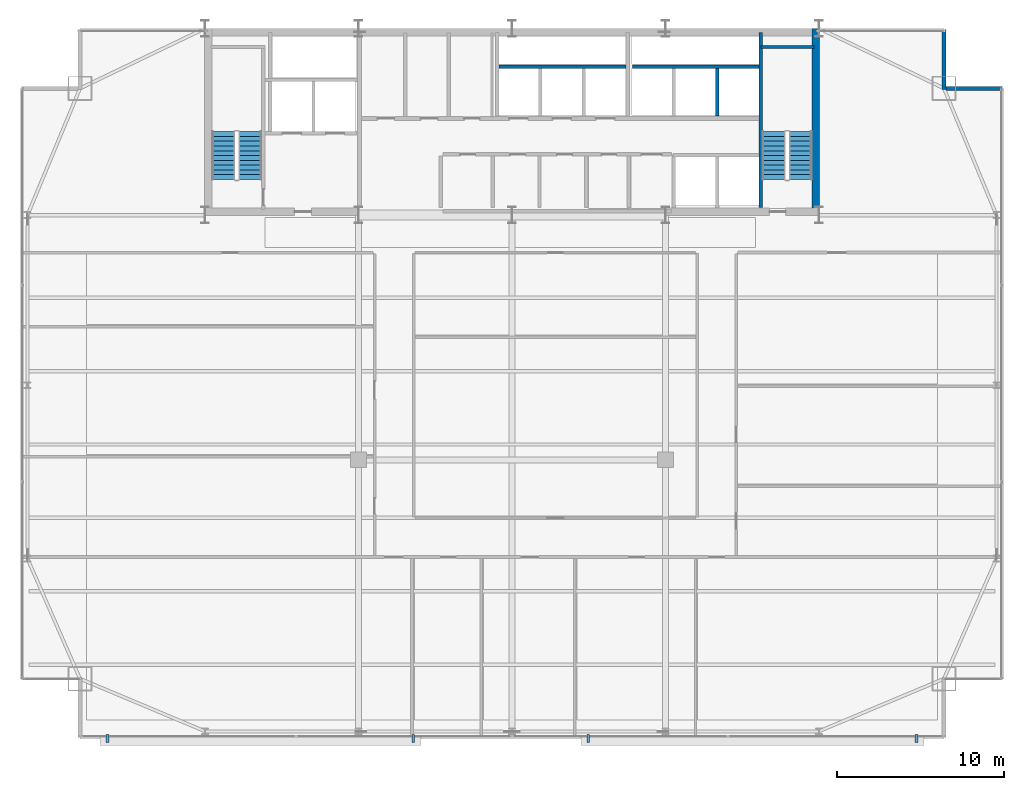
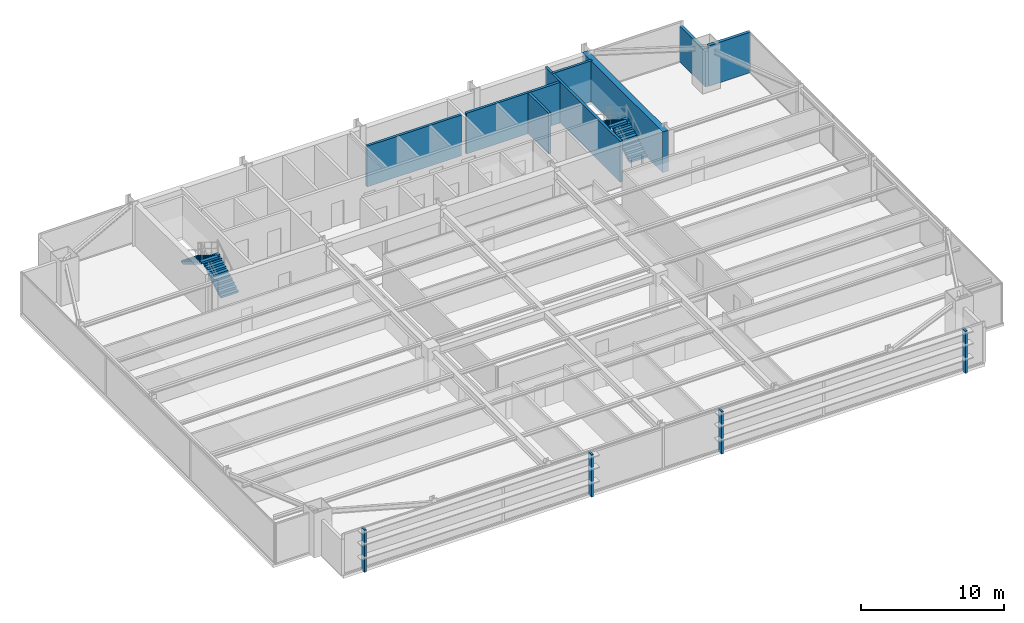
# One storey, part 31 of 33: 8 walls, 4 discrete accessories, 4 stair flights, 2 elements without a shape of their own.
"""IFC4 building model written with IfcOpenShell, lengths in metres."""

from ifc_helpers import new_model, si_unit, direction, frame, frame_2d, origin, origin_2d, place, context, subcontext, project, spatial, polyline, rectangle, outline, extrude, source, transform, mapped, material, layer, layer_set, type_object, type_shapes, element, aggregate, save


model = new_model("IFC4")

# Units and contexts
model_context = context("Model", 3, precision=1e-05, world=origin(), true_north=direction((0.0, 1.0)))
body_context = subcontext(model_context, "Body", "Model", "MODEL_VIEW")
ifc_project = project(units=[si_unit("LENGTHUNIT", "METRE"), si_unit("AREAUNIT", "SQUARE_METRE"), si_unit("VOLUMEUNIT", "CUBIC_METRE"), si_unit("PLANEANGLEUNIT", "RADIAN"), si_unit("MASSUNIT", "GRAM", prefix="KILO")], contexts=[model_context])

# Site, building, storey
site_placement = place(None, origin())
site = spatial("IfcSite", under=ifc_project, at=site_placement, CompositionType="ELEMENT")
building_placement = place(site_placement, origin())
building = spatial("IfcBuilding", under=site, at=building_placement, Name="Varnel Quay Broadcast Tower", CompositionType="ELEMENT")
storey_placement = place(building_placement, frame((0.0, 0.0, 137.199951171875)))
storey = spatial("IfcBuildingStorey", under=building, at=storey_placement, Name="L33", CompositionType="ELEMENT", Elevation=137.199951171875)

# Walls
ifc_material_1 = material(Name="Concrete CSA A23.3 C50/60", Category="concrete")
ifc_layer_1 = layer(ifc_material_1, 0.199951171875, Name="Concrete CSA A23.3 C50/60")
ifc_layer_set_1 = layer_set([ifc_layer_1], Name="Concrete CSA A23.3 C50/60")
wall_type_1 = type_object("IfcWallType", Name="Wall_CoreShaftShear200", PredefinedType="SHEAR", material=ifc_layer_set_1)
wall_1_placement = place(storey_placement, frame((48.919921875, 36.050048828125, 0.0), z_axis=(0.0, 0.0, 1.0), x_axis=(0.0, 1.0, 0.0)))
element("IfcWall", 1, at=wall_1_placement, inside=storey, type_object=wall_type_1, Name="L33 Stair 2 West Structural Wall", PredefinedType="SHEAR", context=body_context, shape_type="SweptSolid", body=[
    extrude(rectangle(XDim=10.5, YDim=0.199951171875, at=frame_2d((5.25, 0.0))), origin(), (0.0, 0.0, 1.0), 3.47998046875),
])
wall_2_placement = place(storey_placement, frame((48.919921875, 45.679931640625, 0.0), z_axis=(0.0, 0.0, 1.0), x_axis=(1.0, 0.0, 0.0)))
element("IfcWall", 2, at=wall_2_placement, inside=storey, type_object=wall_type_1, Name="L33 Stair 2 North Structural Wall", PredefinedType="SHEAR", context=body_context, shape_type="SweptSolid", body=[
    extrude(rectangle(XDim=3.18017578125, YDim=0.199951171875, at=frame_2d((1.590087890625, 0.0))), origin(), (0.0, 0.0, 1.0), 3.47998046875),
])
wall_3_placement = place(storey_placement, frame((33.219970703125, 44.5, 0.0), z_axis=(0.0, 0.0, 1.0), x_axis=(1.0, 0.0, 0.0)))
element("IfcWall", 3, at=wall_3_placement, inside=storey, type_object=wall_type_1, Name="L33 Mid-Rise Lift Shaft Rear Wall", PredefinedType="SHEAR", context=body_context, shape_type="SweptSolid", body=[
    extrude(rectangle(XDim=7.630126953125, YDim=0.199951171875, at=frame_2d((3.81494140625, 0.0))), origin(), (0.0, 0.0, 1.0), 3.47998046875),
])
wall_4_placement = place(storey_placement, frame((41.219970703125, 44.5, 0.0), z_axis=(0.0, 0.0, 1.0), x_axis=(1.0, 0.0, 0.0)))
element("IfcWall", 4, at=wall_4_placement, inside=storey, type_object=wall_type_1, Name="L33 High-Rise Lift Shaft Rear Wall", PredefinedType="SHEAR", context=body_context, shape_type="SweptSolid", body=[
    extrude(rectangle(XDim=7.580078125, YDim=0.199951171875, at=frame_2d((3.7900390625, 0.0))), origin(), (0.0, 0.0, 1.0), 3.47998046875),
])
wall_5_placement = place(storey_placement, frame((46.300048828125, 41.530029296875, 0.0), z_axis=(0.0, 0.0, 1.0), x_axis=(0.0, 1.0, 0.0)))
element("IfcWall", 5, at=wall_5_placement, inside=storey, type_object=wall_type_1, Name="L33 High-Rise Lift Shaft Divider 3", PredefinedType="SHEAR", context=body_context, shape_type="SweptSolid", body=[
    extrude(rectangle(XDim=2.869873046875, YDim=0.199951171875, at=frame_2d((1.43505859375, 0.0))), origin(), (0.0, 0.0, 1.0), 3.47998046875),
])
ifc_material_2 = material(Name="Concrete CSA A23.3 C60/75", Category="concrete")
ifc_layer_2 = layer(ifc_material_2, 0.449951171875, Name="Concrete CSA A23.3 C60/75")
ifc_layer_set_2 = layer_set([ifc_layer_2], Name="Concrete CSA A23.3 C60/75")
wall_type_2 = type_object("IfcWallType", Name="Wall_CoreShearInt450", PredefinedType="SHEAR", material=ifc_layer_set_2)
wall_6_placement = place(storey_placement, frame((52.205078125, 35.570068359375, 0.0), z_axis=(0.0, 0.0, 1.0), x_axis=(0.0, 1.0, 0.0)))
element("IfcWall", 6, at=wall_6_placement, inside=storey, type_object=wall_type_2, Name="L33 East Core Shear Wall", PredefinedType="SHEAR", context=body_context, shape_type="SweptSolid", body=[
    extrude(rectangle(XDim=11.22998046875, YDim=0.449951171875, at=frame_2d((5.614990234375, 0.0))), origin(), (0.0, 0.0, 1.0), 3.47998046875),
])
ifc_material_3 = material(Name="Precast Architectural Concrete C40/50", Category="concrete")
ifc_layer_3 = layer(ifc_material_3, 0.25, Name="Precast Architectural Concrete C40/50")
ifc_layer_set_3 = layer_set([ifc_layer_3], Name="Precast Architectural Concrete C40/50")
wall_type_3 = type_object("IfcWallType", Name="Wall_ExtTerrace250", PredefinedType="SOLIDWALL", material=ifc_layer_set_3)
wall_7_placement = place(storey_placement, frame((60.030029296875, 43.199951171875, 0.0), z_axis=(0.0, 0.0, 1.0), x_axis=(1.0, 0.0, 0.0)))
element("IfcWall", 7, at=wall_7_placement, inside=storey, type_object=wall_type_3, Name="L33 Mega-Column Notch Cladding Wall NNE1", PredefinedType="SOLIDWALL", context=body_context, shape_type="SweptSolid", body=[
    extrude(rectangle(XDim=3.389892578125, YDim=0.25, at=frame_2d((1.69482421875, 0.0))), origin(), (0.0, 0.0, 1.0), 3.4599609375),
])
wall_8_placement = place(storey_placement, frame((59.89990234375, 43.1201171875, 0.0), z_axis=(0.0, 0.0, 1.0), x_axis=(0.0, 1.0, 0.0)))
element("IfcWall", 8, at=wall_8_placement, inside=storey, type_object=wall_type_3, Name="L33 Mega-Column Notch Cladding Wall NNE2", PredefinedType="SOLIDWALL", context=body_context, shape_type="SweptSolid", body=[
    extrude(rectangle(XDim=3.599853515625, YDim=0.25, at=frame_2d((1.7998046875, 0.0))), origin(), (0.0, 0.0, 1.0), 3.0380859375),
])

# Stair, stair flights
ifc_material_4 = material(Name="Precast Structural Concrete C40/50", Category="concrete")
stair_type_1 = type_object("IfcStairType", Name="Stair_ST-01", PredefinedType="HALF_TURN_STAIR", material=ifc_material_4)
stair_1_placement = place(storey_placement, origin())
stair_1 = element("IfcStair", 9, at=stair_1_placement, inside=storey, type_object=stair_type_1, Name="L33 West Core Exit Stair 1", PredefinedType="HALF_TURN_STAIR")
stair_flight_type_1 = type_object("IfcStairFlightType", Name="Flight_ST-01", PredefinedType="STRAIGHT", material=ifc_material_4)
stair_flight_1_placement = place(storey_placement, frame((18.300048828125, 37.75, 0.0), z_axis=(0.0, 0.0, 1.0), x_axis=(0.0, 1.0, 0.0)))
stair_flight_1 = element("IfcStairFlight", 10, at=stair_flight_1_placement, type_object=stair_flight_type_1, Name="ST-01 flight 1", NumberOfRisers=11, NumberOfTreads=10, PredefinedType="STRAIGHT", RiserHeight=0.172727273, TreadLength=0.285, context=body_context, shape_type="SweptSolid", body=[
    extrude(outline(polyline([(0.0, 0.0), (0.0, 0.172607421875), (0.284912109375, 0.172607421875), (0.284912109375, 0.345458984375), (0.570068359375, 0.345458984375), (0.570068359375, 0.51806640625), (0.85498046875, 0.51806640625), (0.85498046875, 0.69091796875), (1.139892578125, 0.69091796875), (1.139892578125, 0.863525390625), (1.425048828125, 0.863525390625), (1.425048828125, 1.036376953125), (1.7099609375, 1.036376953125), (1.7099609375, 1.208984375), (1.9951171875, 1.208984375), (1.9951171875, 1.3818359375), (2.280029296875, 1.3818359375), (2.280029296875, 1.554443359375), (2.56494140625, 1.554443359375), (2.56494140625, 1.727294921875), (2.85009765625, 1.727294921875), (2.85009765625, 1.89990234375), (2.85009765625, 1.552001953125), (0.289306640625, 0.0), (0.0, 0.0)])), frame((0.0, 0.699951171875, 0.0), z_axis=(0.0, -1.0, 0.0), x_axis=(1.0, 0.0, 0.0)), (0.0, 0.0, 1.0), 1.39990234375),
])
stair_flight_2_placement = place(storey_placement, frame((16.699951171875, 40.60009765625, 1.900146484375), z_axis=(0.0, 0.0, 1.0), x_axis=(0.0, -1.0, 0.0)))
stair_flight_2 = element("IfcStairFlight", 11, at=stair_flight_2_placement, type_object=stair_flight_type_1, Name="ST-01 flight 2", NumberOfRisers=11, NumberOfTreads=10, PredefinedType="STRAIGHT", RiserHeight=0.172727273, TreadLength=0.285, context=body_context, shape_type="SweptSolid", body=[
    extrude(outline(polyline([(0.0, 0.0), (0.0, 0.172607421875), (0.284912109375, 0.172607421875), (0.284912109375, 0.345458984375), (0.570068359375, 0.345458984375), (0.570068359375, 0.51806640625), (0.85498046875, 0.51806640625), (0.85498046875, 0.69091796875), (1.139892578125, 0.69091796875), (1.139892578125, 0.863525390625), (1.425048828125, 0.863525390625), (1.425048828125, 1.036376953125), (1.7099609375, 1.036376953125), (1.7099609375, 1.208984375), (1.9951171875, 1.208984375), (1.9951171875, 1.3818359375), (2.280029296875, 1.3818359375), (2.280029296875, 1.554443359375), (2.56494140625, 1.554443359375), (2.56494140625, 1.727294921875), (2.85009765625, 1.727294921875), (2.85009765625, 1.89990234375), (2.85009765625, 1.552001953125), (0.289306640625, 0.0), (0.0, 0.0)])), frame((0.0, 0.699951171875, 0.0), z_axis=(0.0, -1.0, 0.0), x_axis=(1.0, 0.0, 0.0)), (0.0, 0.0, 1.0), 1.39990234375),
])
aggregate(stair_1, [stair_flight_1, stair_flight_2])

stair_type_2 = type_object("IfcStairType", Name="Stair_ST-02", PredefinedType="HALF_TURN_STAIR", material=ifc_material_4)
stair_2_placement = place(storey_placement, origin())
stair_2 = element("IfcStair", 12, at=stair_2_placement, inside=storey, type_object=stair_type_2, Name="L33 East Core Exit Stair 2", PredefinedType="HALF_TURN_STAIR")
stair_flight_type_2 = type_object("IfcStairFlightType", Name="Flight_ST-02", PredefinedType="STRAIGHT", material=ifc_material_4)
stair_flight_3_placement = place(storey_placement, frame((51.300048828125, 37.75, 0.0), z_axis=(0.0, 0.0, 1.0), x_axis=(0.0, 1.0, 0.0)))
stair_flight_3 = element("IfcStairFlight", 13, at=stair_flight_3_placement, type_object=stair_flight_type_2, Name="ST-02 flight 1", NumberOfRisers=11, NumberOfTreads=10, PredefinedType="STRAIGHT", RiserHeight=0.172727273, TreadLength=0.285, context=body_context, shape_type="SweptSolid", body=[
    extrude(outline(polyline([(0.0, 0.0), (0.0, 0.172607421875), (0.284912109375, 0.172607421875), (0.284912109375, 0.345458984375), (0.570068359375, 0.345458984375), (0.570068359375, 0.51806640625), (0.85498046875, 0.51806640625), (0.85498046875, 0.69091796875), (1.139892578125, 0.69091796875), (1.139892578125, 0.863525390625), (1.425048828125, 0.863525390625), (1.425048828125, 1.036376953125), (1.7099609375, 1.036376953125), (1.7099609375, 1.208984375), (1.9951171875, 1.208984375), (1.9951171875, 1.3818359375), (2.280029296875, 1.3818359375), (2.280029296875, 1.554443359375), (2.56494140625, 1.554443359375), (2.56494140625, 1.727294921875), (2.85009765625, 1.727294921875), (2.85009765625, 1.89990234375), (2.85009765625, 1.552001953125), (0.289306640625, 0.0), (0.0, 0.0)])), frame((0.0, 0.699951171875, 0.0), z_axis=(0.0, -1.0, 0.0), x_axis=(1.0, 0.0, 0.0)), (0.0, 0.0, 1.0), 1.39990234375),
])
stair_flight_4_placement = place(storey_placement, frame((49.699951171875, 40.60009765625, 1.900146484375), z_axis=(0.0, 0.0, 1.0), x_axis=(0.0, -1.0, 0.0)))
stair_flight_4 = element("IfcStairFlight", 14, at=stair_flight_4_placement, type_object=stair_flight_type_2, Name="ST-02 flight 2", NumberOfRisers=11, NumberOfTreads=10, PredefinedType="STRAIGHT", RiserHeight=0.172727273, TreadLength=0.285, context=body_context, shape_type="SweptSolid", body=[
    extrude(outline(polyline([(0.0, 0.0), (0.0, 0.172607421875), (0.284912109375, 0.172607421875), (0.284912109375, 0.345458984375), (0.570068359375, 0.345458984375), (0.570068359375, 0.51806640625), (0.85498046875, 0.51806640625), (0.85498046875, 0.69091796875), (1.139892578125, 0.69091796875), (1.139892578125, 0.863525390625), (1.425048828125, 0.863525390625), (1.425048828125, 1.036376953125), (1.7099609375, 1.036376953125), (1.7099609375, 1.208984375), (1.9951171875, 1.208984375), (1.9951171875, 1.3818359375), (2.280029296875, 1.3818359375), (2.280029296875, 1.554443359375), (2.56494140625, 1.554443359375), (2.56494140625, 1.727294921875), (2.85009765625, 1.727294921875), (2.85009765625, 1.89990234375), (2.85009765625, 1.552001953125), (0.289306640625, 0.0), (0.0, 0.0)])), frame((0.0, 0.699951171875, 0.0), z_axis=(0.0, -1.0, 0.0), x_axis=(1.0, 0.0, 0.0)), (0.0, 0.0, 1.0), 1.39990234375),
])
aggregate(stair_2, [stair_flight_3, stair_flight_4])

# Discrete accessories
ifc_material_5 = material(Name="Anodised Bronze Aluminium 6063-T6", Category="aluminium")
ifc_layer_4 = layer(ifc_material_5, 0.47998046875, Name="Anodised Bronze Aluminium 6063-T6")
ifc_layer_set_4 = layer_set([ifc_layer_4], Name="Anodised Bronze Aluminium 6063-T6")
discrete_accessory_type = type_object("IfcDiscreteAccessoryType", Name="Acc_FacadeBracket", PredefinedType="BRACKET", material=ifc_layer_set_4)
shared_shape = source(origin(), body_context, "Body", "SweptSolid", [
    extrude(rectangle(XDim=0.159912109375, YDim=0.47998046875, at=origin_2d()), origin(), (0.0, 0.0, 1.0), 3.610107421875),
])
type_shapes(discrete_accessory_type, [shared_shape])
for number, where, z_axis, x_axis, name in (
    (15, (9.75, 4.219970703125, -0.14990234375), (0.0, 0.0, 1.0), (1.0, 0.0, 0.0), "L33 Lobe 1 Louvre Support Bracket 1"),
    (16, (28.0810546875, 4.219970703125, -0.14990234375), (0.0, 0.0, 1.0), (1.0, 0.0, 0.0), "L33 Lobe 1 Louvre Support Bracket 2"),
    (17, (38.5810546875, 4.219970703125, -0.14990234375), (0.0, 0.0, 1.0), (1.0, 0.0, 0.0), "L33 Lobe 2 Louvre Support Bracket 1"),
    (18, (58.25, 4.219970703125, -0.14990234375), (0.0, 0.0, 1.0), (1.0, 0.0, 0.0), "L33 Lobe 2 Louvre Support Bracket 2"),
):
    element("IfcDiscreteAccessory", number, at=place(storey_placement, frame(where, z_axis=z_axis, x_axis=x_axis)), inside=storey, type_object=discrete_accessory_type, Name=name, PredefinedType="BRACKET", context=body_context, shape_type="MappedRepresentation", body=[
        mapped(shared_shape, transform((0.0, 0.0, 0.0), x_axis=(1.0, 0.0, 0.0), y_axis=(0.0, 1.0, 0.0), z_axis=(0.0, 0.0, 1.0), scale=1.0)),
    ])

save(model, "model.ifc")
